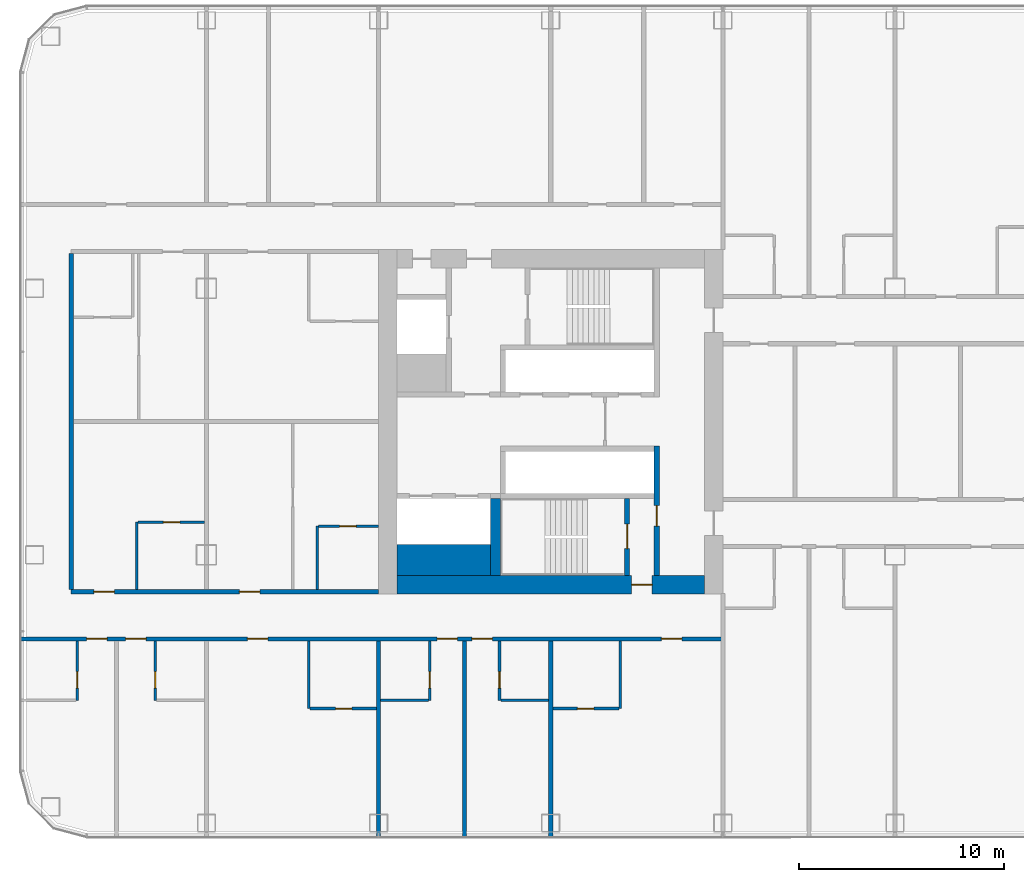
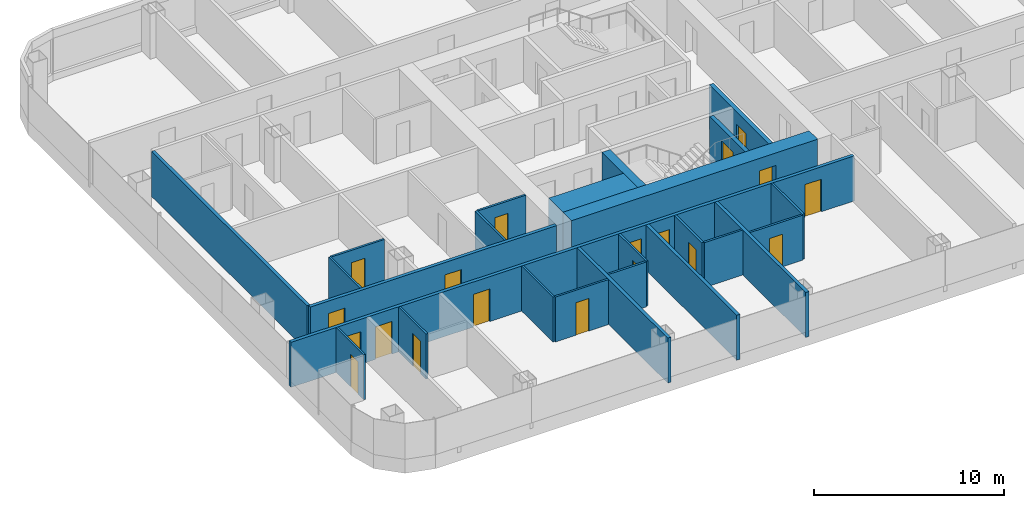
# One storey, part 13 of 29: 25 walls, 19 doors, 19 openings.
"""IFC4 building model written with IfcOpenShell, lengths in metres."""

from ifc_helpers import new_model, si_unit, direction, frame, frame_2d, origin, place, context, subcontext, project, spatial, rectangle, extrude, material, layer, layer_set, type_object, element, fill, save


model = new_model("IFC4")

# Units and contexts
model_context = context("Model", 3, precision=1e-05, world=origin(), true_north=direction((0.0, 1.0)))
body_context = subcontext(model_context, "Body", "Model", "MODEL_VIEW")
ifc_project = project(units=[si_unit("LENGTHUNIT", "METRE"), si_unit("AREAUNIT", "SQUARE_METRE"), si_unit("VOLUMEUNIT", "CUBIC_METRE"), si_unit("PLANEANGLEUNIT", "RADIAN"), si_unit("MASSUNIT", "GRAM", prefix="KILO")], contexts=[model_context])

# Site, building, storey
site_placement = place(None, origin())
site = spatial("IfcSite", under=ifc_project, at=site_placement, CompositionType="ELEMENT")
building_placement = place(site_placement, origin())
building = spatial("IfcBuilding", under=site, at=building_placement, Name="Hakoniwa Tower and Hamabe Station Hall", CompositionType="ELEMENT")
storey_placement = place(building_placement, frame((0.0, 0.0, 61.39990234375)))
storey = spatial("IfcBuildingStorey", under=building, at=storey_placement, Name="L17", CompositionType="ELEMENT", Elevation=61.39990234375)

# Wall, opening, door
ifc_material_1 = material(Name="Gypsum board partition", Category="gypsum")
ifc_layer_1 = layer(ifc_material_1, 0.125)
ifc_layer_set_1 = layer_set([ifc_layer_1], Name="Bathroom Partition 125")
wall_type_1 = type_object("IfcWallType", Name="Bathroom Partition 125", PredefinedType="PARTITIONING", material=ifc_layer_set_1)
wall_1_placement = place(storey_placement, frame((-36.9375, -14.0, 0.0), z_axis=(0.0, 0.0, 1.0), x_axis=(1.0, 0.0, 0.0)))
wall_1 = element("IfcWall", 1, at=wall_1_placement, inside=storey, type_object=wall_type_1, Name="GW-L17-001", PredefinedType="PARTITIONING", context=body_context, shape_type="SweptSolid", body=[
    extrude(rectangle(XDim=3.237548828125, YDim=0.125, at=frame_2d((1.61865234375, 0.0))), origin(), (0.0, 0.0, 1.0), 2.900146484375),
])
opening_1_placement = place(wall_1_placement, frame((1.237548828125, 0.0, 0.0)))
opening_1 = element("IfcOpeningElement", 2, at=opening_1_placement, cuts=wall_1, Name="Opening GD-G1D2-01", PredefinedType="OPENING", context=body_context, shape_type="SweptSolid", body=[
    extrude(rectangle(XDim=0.800048828125, YDim=2.10009765625, at=frame_2d((0.39990234375, 1.050048828125))), frame((0.0, 0.072509765625, 0.0), z_axis=(0.0, -1.0, 0.0), x_axis=(1.0, 0.0, 0.0)), (0.0, 0.0, 1.0), 0.14501953125),
])
ifc_material_2 = material(Name="Timber door leaf", Category="wood")
door_type_1 = type_object("IfcDoorType", Name="Bathroom Door 800", OperationType="SINGLE_SWING_LEFT", PredefinedType="DOOR", material=ifc_material_2)
door_1_placement = place(opening_1_placement, origin())
door_1 = element("IfcDoor", 3, at=door_1_placement, inside=storey, type_object=door_type_1, Name="Door GD-G1D2-01", OperationType="SINGLE_SWING_LEFT", OverallHeight=2.10009765625, OverallWidth=0.800048828125, PredefinedType="DOOR", context=body_context, shape_type="SweptSolid", body=[
    extrude(rectangle(XDim=0.800048828125, YDim=2.10009765625, at=frame_2d((0.39990234375, 1.050048828125))), frame((0.0, 0.02490234375, 0.0), z_axis=(0.0, -1.0, 0.0), x_axis=(1.0, 0.0, 0.0)), (0.0, 0.0, 1.0), 0.050048828125),
])
fill(opening_1, door_1)

wall_2_placement = place(storey_placement, frame((-25.10009765625, -14.0, 0.0), z_axis=(0.0, 0.0, 1.0), x_axis=(1.0, 0.0, 0.0)))
wall_2 = element("IfcWall", 4, at=wall_2_placement, inside=storey, type_object=wall_type_1, Name="GW-L17-002", PredefinedType="PARTITIONING", context=body_context, shape_type="SweptSolid", body=[
    extrude(rectangle(XDim=3.237548828125, YDim=0.125, at=frame_2d((1.61865234375, 0.0))), origin(), (0.0, 0.0, 1.0), 2.900146484375),
])
opening_2_placement = place(wall_2_placement, frame((1.199951171875, 0.0, 0.0)))
opening_2 = element("IfcOpeningElement", 5, at=opening_2_placement, cuts=wall_2, Name="Opening GD-G1D2-02", PredefinedType="OPENING", context=body_context, shape_type="SweptSolid", body=[
    extrude(rectangle(XDim=0.800048828125, YDim=2.10009765625, at=frame_2d((0.39990234375, 1.050048828125))), frame((0.0, 0.072509765625, 0.0), z_axis=(0.0, -1.0, 0.0), x_axis=(1.0, 0.0, 0.0)), (0.0, 0.0, 1.0), 0.14501953125),
])
door_2_placement = place(opening_2_placement, origin())
door_2 = element("IfcDoor", 6, at=door_2_placement, inside=storey, type_object=door_type_1, Name="Door GD-G1D2-02", OperationType="SINGLE_SWING_RIGHT", OverallHeight=2.10009765625, OverallWidth=0.800048828125, PredefinedType="DOOR", context=body_context, shape_type="SweptSolid", body=[
    extrude(rectangle(XDim=0.800048828125, YDim=2.10009765625, at=frame_2d((0.39990234375, 1.050048828125))), frame((0.0, 0.02490234375, 0.0), z_axis=(0.0, -1.0, 0.0), x_axis=(1.0, 0.0, 0.0)), (0.0, 0.0, 1.0), 0.050048828125),
])
fill(opening_2, door_2)

# Walls
for number, where, z_axis, x_axis, name in (
    (7, (-33.5, -13.60009765625, 0.0), (0.0, 0.0, 1.0), (1.0, 0.0, 0.0), "GW-L17-007"),
    (8, (-27.637451171875, -13.60009765625, 0.0), (0.0, 0.0, 1.0), (1.0, 0.0, 0.0), "GW-L17-008"),
):
    element("IfcWall", number, at=place(storey_placement, frame(where, z_axis=z_axis, x_axis=x_axis)), inside=storey, type_object=wall_type_1, Name=name, PredefinedType="PARTITIONING", context=body_context, shape_type="SweptSolid", body=[
        extrude(rectangle(XDim=2.33740234375, YDim=0.125, at=frame_2d((1.168701171875, 0.0))), origin(), (0.0, 0.0, 1.0), 2.900146484375),
    ])

# Wall, opening, door
wall_3_placement = place(storey_placement, frame((-36.53759765625, -5.10009765625, 0.0), z_axis=(0.0, 0.0, 1.0), x_axis=(1.0, 0.0, 0.0)))
wall_3 = element("IfcWall", 9, at=wall_3_placement, inside=storey, type_object=wall_type_1, Name="GW-L17-023", PredefinedType="PARTITIONING", context=body_context, shape_type="SweptSolid", body=[
    extrude(rectangle(XDim=2.9375, YDim=0.125, at=frame_2d((1.46875, 0.0))), origin(), (0.0, 0.0, 1.0), 2.900146484375),
])
opening_3_placement = place(wall_3_placement, frame((1.03759765625, 0.0, 0.0)))
opening_3 = element("IfcOpeningElement", 10, at=opening_3_placement, cuts=wall_3, Name="Opening GD-G1D2-26", PredefinedType="OPENING", context=body_context, shape_type="SweptSolid", body=[
    extrude(rectangle(XDim=0.800048828125, YDim=2.10009765625, at=frame_2d((0.39990234375, 1.050048828125))), frame((0.0, 0.072509765625, 0.0), z_axis=(0.0, -1.0, 0.0), x_axis=(1.0, 0.0, 0.0)), (0.0, 0.0, 1.0), 0.14501953125),
])
door_3_placement = place(opening_3_placement, origin())
door_3 = element("IfcDoor", 11, at=door_3_placement, inside=storey, type_object=door_type_1, Name="Door GD-G1D2-26", OperationType="SINGLE_SWING_LEFT", OverallHeight=2.10009765625, OverallWidth=0.800048828125, PredefinedType="DOOR", context=body_context, shape_type="SweptSolid", body=[
    extrude(rectangle(XDim=0.800048828125, YDim=2.10009765625, at=frame_2d((0.39990234375, 1.050048828125))), frame((0.0, 0.02490234375, 0.0), z_axis=(0.0, -1.0, 0.0), x_axis=(1.0, 0.0, 0.0)), (0.0, 0.0, 1.0), 0.050048828125),
])
fill(opening_3, door_3)

wall_4_placement = place(storey_placement, frame((-45.33740234375, -4.89990234375, 0.0), z_axis=(0.0, 0.0, 1.0), x_axis=(1.0, 0.0, 0.0)))
wall_4 = element("IfcWall", 12, at=wall_4_placement, inside=storey, type_object=wall_type_1, Name="GW-L17-025", PredefinedType="PARTITIONING", context=body_context, shape_type="SweptSolid", body=[
    extrude(rectangle(XDim=3.2373046875, YDim=0.125, at=frame_2d((1.61865234375, 0.0))), origin(), (0.0, 0.0, 1.0), 2.900146484375),
])
opening_4_placement = place(wall_4_placement, frame((1.237548828125, 0.0, 0.0)))
opening_4 = element("IfcOpeningElement", 13, at=opening_4_placement, cuts=wall_4, Name="Opening GD-G1D2-28", PredefinedType="OPENING", context=body_context, shape_type="SweptSolid", body=[
    extrude(rectangle(XDim=0.800048828125, YDim=2.10009765625, at=frame_2d((0.39990234375, 1.050048828125))), frame((0.0, 0.072509765625, 0.0), z_axis=(0.0, -1.0, 0.0), x_axis=(1.0, 0.0, 0.0)), (0.0, 0.0, 1.0), 0.14501953125),
])
door_4_placement = place(opening_4_placement, origin())
door_4 = element("IfcDoor", 14, at=door_4_placement, inside=storey, type_object=door_type_1, Name="Door GD-G1D2-28", OperationType="SINGLE_SWING_LEFT", OverallHeight=2.10009765625, OverallWidth=0.800048828125, PredefinedType="DOOR", context=body_context, shape_type="SweptSolid", body=[
    extrude(rectangle(XDim=0.800048828125, YDim=2.10009765625, at=frame_2d((0.39990234375, 1.050048828125))), frame((0.0, 0.02490234375, 0.0), z_axis=(0.0, -1.0, 0.0), x_axis=(1.0, 0.0, 0.0)), (0.0, 0.0, 1.0), 0.050048828125),
])
fill(opening_4, door_4)

wall_5_placement = place(storey_placement, frame((-48.300048828125, -13.60009765625, 0.0), z_axis=(0.0, 0.0, 1.0), x_axis=(0.0, 1.0, 0.0)))
wall_5 = element("IfcWall", 15, at=wall_5_placement, inside=storey, type_object=wall_type_1, Name="GW-L17-045", PredefinedType="PARTITIONING", context=body_context, shape_type="SweptSolid", body=[
    extrude(rectangle(XDim=2.900146484375, YDim=0.125, at=frame_2d((1.4501953125, 0.0))), origin(), (0.0, 0.0, 1.0), 2.900146484375),
])
opening_5_placement = place(wall_5_placement, frame((0.60009765625, 0.0, 0.0)))
opening_5 = element("IfcOpeningElement", 16, at=opening_5_placement, cuts=wall_5, Name="Opening GD-G1D2-63", PredefinedType="OPENING", context=body_context, shape_type="SweptSolid", body=[
    extrude(rectangle(XDim=0.800048828125, YDim=2.10009765625, at=frame_2d((0.39990234375, 1.050048828125))), frame((0.0, 0.072509765625, 0.0), z_axis=(0.0, -1.0, 0.0), x_axis=(1.0, 0.0, 0.0)), (0.0, 0.0, 1.0), 0.14501953125),
])
door_5_placement = place(opening_5_placement, origin())
door_5 = element("IfcDoor", 17, at=door_5_placement, inside=storey, type_object=door_type_1, Name="Door GD-G1D2-63", OperationType="SINGLE_SWING_RIGHT", OverallHeight=2.10009765625, OverallWidth=0.800048828125, PredefinedType="DOOR", context=body_context, shape_type="SweptSolid", body=[
    extrude(rectangle(XDim=0.800048828125, YDim=2.10009765625, at=frame_2d((0.39990234375, 1.050048828125))), frame((0.0, 0.02490234375, 0.0), z_axis=(0.0, -1.0, 0.0), x_axis=(1.0, 0.0, 0.0)), (0.0, 0.0, 1.0), 0.050048828125),
])
fill(opening_5, door_5)

# Wall
wall_6_placement = place(storey_placement, frame((-45.39990234375, -8.199951171875, 0.0), z_axis=(0.0, 0.0, 1.0), x_axis=(0.0, 1.0, 0.0)))
element("IfcWall", 18, at=wall_6_placement, inside=storey, type_object=wall_type_1, Name="GW-L17-048", PredefinedType="PARTITIONING", context=body_context, shape_type="SweptSolid", body=[
    extrude(rectangle(XDim=3.300048828125, YDim=0.125, at=frame_2d((1.64990234375, 0.0))), origin(), (0.0, 0.0, 1.0), 2.900146484375),
])

# Wall, opening, door
wall_7_placement = place(storey_placement, frame((-44.5, -13.60009765625, 0.0), z_axis=(0.0, 0.0, 1.0), x_axis=(0.0, 1.0, 0.0)))
wall_7 = element("IfcWall", 19, at=wall_7_placement, inside=storey, type_object=wall_type_1, Name="GW-L17-050", PredefinedType="PARTITIONING", context=body_context, shape_type="SweptSolid", body=[
    extrude(rectangle(XDim=2.900146484375, YDim=0.125, at=frame_2d((1.4501953125, 0.0))), origin(), (0.0, 0.0, 1.0), 2.900146484375),
])
opening_6_placement = place(wall_7_placement, frame((0.60009765625, 0.0, 0.0)))
opening_6 = element("IfcOpeningElement", 20, at=opening_6_placement, cuts=wall_7, Name="Opening GD-G1D2-65", PredefinedType="OPENING", context=body_context, shape_type="SweptSolid", body=[
    extrude(rectangle(XDim=0.800048828125, YDim=2.10009765625, at=frame_2d((0.39990234375, 1.050048828125))), frame((0.0, 0.072509765625, 0.0), z_axis=(0.0, -1.0, 0.0), x_axis=(1.0, 0.0, 0.0)), (0.0, 0.0, 1.0), 0.14501953125),
])
door_6_placement = place(opening_6_placement, origin())
door_6 = element("IfcDoor", 21, at=door_6_placement, inside=storey, type_object=door_type_1, Name="Door GD-G1D2-65", OperationType="SINGLE_SWING_LEFT", OverallHeight=2.10009765625, OverallWidth=0.800048828125, PredefinedType="DOOR", context=body_context, shape_type="SweptSolid", body=[
    extrude(rectangle(XDim=0.800048828125, YDim=2.10009765625, at=frame_2d((0.39990234375, 1.050048828125))), frame((0.0, 0.02490234375, 0.0), z_axis=(0.0, -1.0, 0.0), x_axis=(1.0, 0.0, 0.0)), (0.0, 0.0, 1.0), 0.050048828125),
])
fill(opening_6, door_6)

# Walls
wall_8_placement = place(storey_placement, frame((-37.0, -14.0, 0.0), z_axis=(0.0, 0.0, 1.0), x_axis=(0.0, 1.0, 0.0)))
element("IfcWall", 22, at=wall_8_placement, inside=storey, type_object=wall_type_1, Name="GW-L17-056", PredefinedType="PARTITIONING", context=body_context, shape_type="SweptSolid", body=[
    extrude(rectangle(XDim=3.300048828125, YDim=0.125, at=frame_2d((1.64990234375, 0.0))), origin(), (0.0, 0.0, 1.0), 2.900146484375),
])
wall_9_placement = place(storey_placement, frame((-36.60009765625, -8.199951171875, 0.0), z_axis=(0.0, 0.0, 1.0), x_axis=(0.0, 1.0, 0.0)))
element("IfcWall", 23, at=wall_9_placement, inside=storey, type_object=wall_type_1, Name="GW-L17-058", PredefinedType="PARTITIONING", context=body_context, shape_type="SweptSolid", body=[
    extrude(rectangle(XDim=3.099853515625, YDim=0.125, at=frame_2d((1.5498046875, 0.0))), origin(), (0.0, 0.0, 1.0), 2.900146484375),
])

# Wall, opening, door
wall_10_placement = place(storey_placement, frame((-31.10009765625, -13.60009765625, 0.0), z_axis=(0.0, 0.0, 1.0), x_axis=(0.0, 1.0, 0.0)))
wall_10 = element("IfcWall", 24, at=wall_10_placement, inside=storey, type_object=wall_type_1, Name="GW-L17-061", PredefinedType="PARTITIONING", context=body_context, shape_type="SweptSolid", body=[
    extrude(rectangle(XDim=2.900146484375, YDim=0.125, at=frame_2d((1.4501953125, 0.0))), origin(), (0.0, 0.0, 1.0), 2.900146484375),
])
opening_7_placement = place(wall_10_placement, frame((0.60009765625, 0.0, 0.0)))
opening_7 = element("IfcOpeningElement", 25, at=opening_7_placement, cuts=wall_10, Name="Opening GD-G1D2-67", PredefinedType="OPENING", context=body_context, shape_type="SweptSolid", body=[
    extrude(rectangle(XDim=0.800048828125, YDim=2.10009765625, at=frame_2d((0.39990234375, 1.050048828125))), frame((0.0, 0.072509765625, 0.0), z_axis=(0.0, -1.0, 0.0), x_axis=(1.0, 0.0, 0.0)), (0.0, 0.0, 1.0), 0.14501953125),
])
door_7_placement = place(opening_7_placement, origin())
door_7 = element("IfcDoor", 26, at=door_7_placement, inside=storey, type_object=door_type_1, Name="Door GD-G1D2-67", OperationType="SINGLE_SWING_RIGHT", OverallHeight=2.10009765625, OverallWidth=0.800048828125, PredefinedType="DOOR", context=body_context, shape_type="SweptSolid", body=[
    extrude(rectangle(XDim=0.800048828125, YDim=2.10009765625, at=frame_2d((0.39990234375, 1.050048828125))), frame((0.0, 0.02490234375, 0.0), z_axis=(0.0, -1.0, 0.0), x_axis=(1.0, 0.0, 0.0)), (0.0, 0.0, 1.0), 0.050048828125),
])
fill(opening_7, door_7)

wall_11_placement = place(storey_placement, frame((-27.699951171875, -13.60009765625, 0.0), z_axis=(0.0, 0.0, 1.0), x_axis=(0.0, 1.0, 0.0)))
wall_11 = element("IfcWall", 27, at=wall_11_placement, inside=storey, type_object=wall_type_1, Name="GW-L17-063", PredefinedType="PARTITIONING", context=body_context, shape_type="SweptSolid", body=[
    extrude(rectangle(XDim=2.900146484375, YDim=0.125, at=frame_2d((1.4501953125, 0.0))), origin(), (0.0, 0.0, 1.0), 2.900146484375),
])
opening_8_placement = place(wall_11_placement, frame((0.60009765625, 0.0, 0.0)))
opening_8 = element("IfcOpeningElement", 28, at=opening_8_placement, cuts=wall_11, Name="Opening GD-G1D2-68", PredefinedType="OPENING", context=body_context, shape_type="SweptSolid", body=[
    extrude(rectangle(XDim=0.800048828125, YDim=2.10009765625, at=frame_2d((0.39990234375, 1.050048828125))), frame((0.0, 0.072509765625, 0.0), z_axis=(0.0, -1.0, 0.0), x_axis=(1.0, 0.0, 0.0)), (0.0, 0.0, 1.0), 0.14501953125),
])
door_8_placement = place(opening_8_placement, origin())
door_8 = element("IfcDoor", 29, at=door_8_placement, inside=storey, type_object=door_type_1, Name="Door GD-G1D2-68", OperationType="SINGLE_SWING_LEFT", OverallHeight=2.10009765625, OverallWidth=0.800048828125, PredefinedType="DOOR", context=body_context, shape_type="SweptSolid", body=[
    extrude(rectangle(XDim=0.800048828125, YDim=2.10009765625, at=frame_2d((0.39990234375, 1.050048828125))), frame((0.0, 0.02490234375, 0.0), z_axis=(0.0, -1.0, 0.0), x_axis=(1.0, 0.0, 0.0)), (0.0, 0.0, 1.0), 0.050048828125),
])
fill(opening_8, door_8)

# Wall
wall_12_placement = place(storey_placement, frame((-21.800048828125, -14.0, 0.0), z_axis=(0.0, 0.0, 1.0), x_axis=(0.0, 1.0, 0.0)))
element("IfcWall", 30, at=wall_12_placement, inside=storey, type_object=wall_type_1, Name="GW-L17-066", PredefinedType="PARTITIONING", context=body_context, shape_type="SweptSolid", body=[
    extrude(rectangle(XDim=3.300048828125, YDim=0.125, at=frame_2d((1.64990234375, 0.0))), origin(), (0.0, 0.0, 1.0), 2.900146484375),
])

# Wall, opening, door
ifc_material_3 = material(Name="Concrete C80", Category="concrete")
ifc_layer_2 = layer(ifc_material_3, 0.89990234375)
ifc_layer_set_2 = layer_set([ifc_layer_2], Name="CORE WALL 900 C80")
wall_type_2 = type_object("IfcWallType", Name="CORE WALL 900 C80", PredefinedType="SHEAR", material=ifc_layer_set_2)
wall_13_placement = place(storey_placement, frame((-32.699951171875, -7.949951171875, 0.0), z_axis=(0.0, 0.0, 1.0), x_axis=(1.0, 0.0, 0.0)))
wall_13 = element("IfcWall", 31, at=wall_13_placement, inside=storey, type_object=wall_type_2, Name="Core wall SOUTH west", PredefinedType="SHEAR", context=body_context, shape_type="SweptSolid", body=[
    extrude(rectangle(XDim=15.0, YDim=0.89990234375, at=frame_2d((7.5, 0.0))), origin(), (0.0, 0.0, 1.0), 2.900146484375),
])
opening_9_placement = place(wall_13_placement, frame((11.449951171875, 0.0, 0.0)))
opening_9 = element("IfcOpeningElement", 32, at=opening_9_placement, cuts=wall_13, Name="Opening CD-W-FS3-10", PredefinedType="OPENING", context=body_context, shape_type="SweptSolid", body=[
    extrude(rectangle(XDim=1.0, YDim=2.10009765625, at=frame_2d((0.5, 1.050048828125))), frame((0.0, 0.4599609375, 0.0), z_axis=(0.0, -1.0, 0.0), x_axis=(1.0, 0.0, 0.0)), (0.0, 0.0, 1.0), 0.919921875),
])
ifc_material_4 = material(Name="Steel fire door", Category="steel")
door_type_2 = type_object("IfcDoorType", Name="CORE DOOR 1000 FD60", OperationType="NOTDEFINED", PredefinedType="DOOR", material=ifc_material_4)
door_9_placement = place(opening_9_placement, origin())
door_9 = element("IfcDoor", 33, at=door_9_placement, inside=storey, type_object=door_type_2, Name="Stair vestibule door", OperationType="SINGLE_SWING_LEFT", OverallHeight=2.10009765625, OverallWidth=1.0, PredefinedType="DOOR", context=body_context, shape_type="SweptSolid", body=[
    extrude(rectangle(XDim=1.0, YDim=2.10009765625, at=frame_2d((0.5, 1.050048828125))), frame((0.0, 0.02490234375, 0.0), z_axis=(0.0, -1.0, 0.0), x_axis=(1.0, 0.0, 0.0)), (0.0, 0.0, 1.0), 0.050048828125),
])
fill(opening_9, door_9)

# Wall
ifc_material_5 = material(Name="Concrete C80", Category="concrete")
ifc_layer_3 = layer(ifc_material_5, 1.5)
ifc_layer_set_3 = layer_set([ifc_layer_3], Name="CORE WEB WALL 1500 C80")
wall_type_3 = type_object("IfcWallType", Name="CORE WEB WALL 1500 C80", PredefinedType="SHEAR", material=ifc_layer_set_3)
wall_14_placement = place(storey_placement, frame((-32.699951171875, -6.75, 0.0), z_axis=(0.0, 0.0, 1.0), x_axis=(1.0, 0.0, 0.0)))
element("IfcWall", 34, at=wall_14_placement, inside=storey, type_object=wall_type_3, Name="Core wall SER west", PredefinedType="SHEAR", context=body_context, shape_type="SweptSolid", body=[
    extrude(rectangle(XDim=4.550048828125, YDim=1.5, at=frame_2d((2.27490234375, 0.0))), origin(), (0.0, 0.0, 1.0), 2.900146484375),
])

# Wall, opening, door
ifc_material_6 = material(Name="Concrete C80", Category="concrete")
ifc_layer_4 = layer(ifc_material_6, 0.25)
ifc_layer_set_4 = layer_set([ifc_layer_4], Name="CORE WEB WALL 250 C80")
wall_type_4 = type_object("IfcWallType", Name="CORE WEB WALL 250 C80", PredefinedType="SHEAR", material=ifc_layer_set_4)
wall_15_placement = place(storey_placement, frame((-20.02490234375, -7.5, 0.0), z_axis=(0.0, 0.0, 1.0), x_axis=(0.0, 1.0, 0.0)))
wall_15 = element("IfcWall", 35, at=wall_15_placement, inside=storey, type_object=wall_type_4, Name="Core wall W1S west", PredefinedType="SHEAR", context=body_context, shape_type="SweptSolid", body=[
    extrude(rectangle(XDim=6.300048828125, YDim=0.25, at=frame_2d((3.14990234375, 0.0))), origin(), (0.0, 0.0, 1.0), 2.900146484375),
])
opening_10_placement = place(wall_15_placement, frame((2.39990234375, 0.0, 0.0)))
opening_10 = element("IfcOpeningElement", 36, at=opening_10_placement, cuts=wall_15, Name="Opening CD-W-VS-10", PredefinedType="OPENING", context=body_context, shape_type="SweptSolid", body=[
    extrude(rectangle(XDim=1.0, YDim=2.10009765625, at=frame_2d((0.5, 1.050048828125))), frame((0.0, 0.135009765625, 0.0), z_axis=(0.0, -1.0, 0.0), x_axis=(1.0, 0.0, 0.0)), (0.0, 0.0, 1.0), 0.27001953125),
])
door_10_placement = place(opening_10_placement, origin())
door_10 = element("IfcDoor", 37, at=door_10_placement, inside=storey, type_object=door_type_2, Name="Stair vestibule door", OperationType="SINGLE_SWING_LEFT", OverallHeight=2.10009765625, OverallWidth=1.0, PredefinedType="DOOR", context=body_context, shape_type="SweptSolid", body=[
    extrude(rectangle(XDim=1.0, YDim=2.10009765625, at=frame_2d((0.5, 1.050048828125))), frame((0.0, 0.02490234375, 0.0), z_axis=(0.0, -1.0, 0.0), x_axis=(1.0, 0.0, 0.0)), (0.0, 0.0, 1.0), 0.050048828125),
])
fill(opening_10, door_10)

wall_16_placement = place(storey_placement, frame((-21.47509765625, -7.5, 0.0), z_axis=(0.0, 0.0, 1.0), x_axis=(0.0, 1.0, 0.0)))
wall_16 = element("IfcWall", 38, at=wall_16_placement, inside=storey, type_object=wall_type_4, Name="Core wall VE west", PredefinedType="SHEAR", context=body_context, shape_type="SweptSolid", body=[
    extrude(rectangle(XDim=3.75, YDim=0.25, at=frame_2d((1.875, 0.0))), origin(), (0.0, 0.0, 1.0), 2.900146484375),
])
opening_11_placement = place(wall_16_placement, frame((1.300048828125, 0.0, 0.0)))
opening_11 = element("IfcOpeningElement", 39, at=opening_11_placement, cuts=wall_16, Name="Opening CD-W-SS-12", PredefinedType="OPENING", context=body_context, shape_type="SweptSolid", body=[
    extrude(rectangle(XDim=1.199951171875, YDim=2.10009765625, at=frame_2d((0.60009765625, 1.050048828125))), frame((0.0, 0.135009765625, 0.0), z_axis=(0.0, -1.0, 0.0), x_axis=(1.0, 0.0, 0.0)), (0.0, 0.0, 1.0), 0.27001953125),
])
ifc_material_7 = material(Name="Steel fire door", Category="steel")
door_type_3 = type_object("IfcDoorType", Name="CORE DOOR 1200 FD60", OperationType="DOUBLE_DOOR_SINGLE_SWING", PredefinedType="DOOR", material=ifc_material_7)
door_11_placement = place(opening_11_placement, origin())
door_11 = element("IfcDoor", 40, at=door_11_placement, inside=storey, type_object=door_type_3, Name="Escape stair door", OperationType="DOUBLE_DOOR_SINGLE_SWING", OverallHeight=2.10009765625, OverallWidth=1.199951171875, PredefinedType="DOOR", context=body_context, shape_type="SweptSolid", body=[
    extrude(rectangle(XDim=1.199951171875, YDim=2.10009765625, at=frame_2d((0.60009765625, 1.050048828125))), frame((0.0, 0.02490234375, 0.0), z_axis=(0.0, -1.0, 0.0), x_axis=(1.0, 0.0, 0.0)), (0.0, 0.0, 1.0), 0.050048828125),
])
fill(opening_11, door_11)

# Wall
ifc_material_8 = material(Name="Concrete C80", Category="concrete")
ifc_layer_5 = layer(ifc_material_8, 0.5)
ifc_layer_set_5 = layer_set([ifc_layer_5], Name="CORE WEB WALL 500 C80")
wall_type_5 = type_object("IfcWallType", Name="CORE WEB WALL 500 C80", PredefinedType="SHEAR", material=ifc_layer_set_5)
wall_17_placement = place(storey_placement, frame((-27.89990234375, -7.5, 0.0), z_axis=(0.0, 0.0, 1.0), x_axis=(0.0, 1.0, 0.0)))
element("IfcWall", 41, at=wall_17_placement, inside=storey, type_object=wall_type_5, Name="Core wall SSE west", PredefinedType="SHEAR", context=body_context, shape_type="SweptSolid", body=[
    extrude(rectangle(XDim=3.75, YDim=0.5, at=frame_2d((1.875, 0.0))), origin(), (0.0, 0.0, 1.0), 2.900146484375),
])

# Wall, openings, doors
ifc_material_9 = material(Name="Fire-rated gypsum board partition", Category="gypsum")
ifc_layer_6 = layer(ifc_material_9, 0.199951171875)
ifc_layer_set_6 = layer_set([ifc_layer_6], Name="Corridor Wall 200")
wall_type_6 = type_object("IfcWallType", Name="Corridor Wall 200", PredefinedType="PARTITIONING", material=ifc_layer_set_6)
wall_18_placement = place(storey_placement, frame((-51.10009765625, -10.60009765625, 0.0), z_axis=(0.0, 0.0, 1.0), x_axis=(1.0, 0.0, 0.0)))
wall_18 = element("IfcWall", 42, at=wall_18_placement, inside=storey, type_object=wall_type_6, Name="GW-L17-013", PredefinedType="PARTITIONING", context=body_context, shape_type="SweptSolid", body=[
    extrude(rectangle(XDim=34.300048828125, YDim=0.199951171875, at=frame_2d((17.14990234375, 0.0))), origin(), (0.0, 0.0, 1.0), 2.900146484375),
])
opening_12_placement = place(wall_18_placement, frame((3.25, 0.0, 0.0)))
opening_12 = element("IfcOpeningElement", 43, at=opening_12_placement, cuts=wall_18, Name="Opening GD-G1D2-03", PredefinedType="OPENING", context=body_context, shape_type="SweptSolid", body=[
    extrude(rectangle(XDim=1.0, YDim=2.10009765625, at=frame_2d((0.5, 1.050048828125))), frame((0.0, 0.10986328125, 0.0), z_axis=(0.0, -1.0, 0.0), x_axis=(1.0, 0.0, 0.0)), (0.0, 0.0, 1.0), 0.219970703125),
])
opening_13_placement = place(wall_18_placement, frame((5.14990234375, 0.0, 0.0)))
opening_13 = element("IfcOpeningElement", 44, at=opening_13_placement, cuts=wall_18, Name="Opening GD-G1D2-04", PredefinedType="OPENING", context=body_context, shape_type="SweptSolid", body=[
    extrude(rectangle(XDim=1.0, YDim=2.10009765625, at=frame_2d((0.5, 1.050048828125))), frame((0.0, 0.10986328125, 0.0), z_axis=(0.0, -1.0, 0.0), x_axis=(1.0, 0.0, 0.0)), (0.0, 0.0, 1.0), 0.219970703125),
])
opening_14_placement = place(wall_18_placement, frame((11.10009765625, 0.0, 0.0)))
opening_14 = element("IfcOpeningElement", 45, at=opening_14_placement, cuts=wall_18, Name="Opening GD-G1D2-05", PredefinedType="OPENING", context=body_context, shape_type="SweptSolid", body=[
    extrude(rectangle(XDim=1.0, YDim=2.10009765625, at=frame_2d((0.5, 1.050048828125))), frame((0.0, 0.10986328125, 0.0), z_axis=(0.0, -1.0, 0.0), x_axis=(1.0, 0.0, 0.0)), (0.0, 0.0, 1.0), 0.219970703125),
])
opening_15_placement = place(wall_18_placement, frame((20.35009765625, 0.0, 0.0)))
opening_15 = element("IfcOpeningElement", 46, at=opening_15_placement, cuts=wall_18, Name="Opening GD-G1D2-06", PredefinedType="OPENING", context=body_context, shape_type="SweptSolid", body=[
    extrude(rectangle(XDim=1.0, YDim=2.10009765625, at=frame_2d((0.5, 1.050048828125))), frame((0.0, 0.10986328125, 0.0), z_axis=(0.0, -1.0, 0.0), x_axis=(1.0, 0.0, 0.0)), (0.0, 0.0, 1.0), 0.219970703125),
])
opening_16_placement = place(wall_18_placement, frame((22.050048828125, 0.0, 0.0)))
opening_16 = element("IfcOpeningElement", 47, at=opening_16_placement, cuts=wall_18, Name="Opening GD-G1D2-07", PredefinedType="OPENING", context=body_context, shape_type="SweptSolid", body=[
    extrude(rectangle(XDim=1.0, YDim=2.10009765625, at=frame_2d((0.5, 1.050048828125))), frame((0.0, 0.10986328125, 0.0), z_axis=(0.0, -1.0, 0.0), x_axis=(1.0, 0.0, 0.0)), (0.0, 0.0, 1.0), 0.219970703125),
])
opening_17_placement = place(wall_18_placement, frame((31.300048828125, 0.0, 0.0)))
opening_17 = element("IfcOpeningElement", 48, at=opening_17_placement, cuts=wall_18, Name="Opening GD-G1D2-08", PredefinedType="OPENING", context=body_context, shape_type="SweptSolid", body=[
    extrude(rectangle(XDim=1.0, YDim=2.10009765625, at=frame_2d((0.5, 1.050048828125))), frame((0.0, 0.10986328125, 0.0), z_axis=(0.0, -1.0, 0.0), x_axis=(1.0, 0.0, 0.0)), (0.0, 0.0, 1.0), 0.219970703125),
])
ifc_material_10 = material(Name="Timber door leaf", Category="wood")
door_type_4 = type_object("IfcDoorType", Name="Guest Entrance Door 1000", OperationType="SINGLE_SWING_LEFT", PredefinedType="DOOR", material=ifc_material_10)
door_12_placement = place(opening_12_placement, origin())
door_12 = element("IfcDoor", 49, at=door_12_placement, inside=storey, type_object=door_type_4, Name="Door GD-G1D2-03", OperationType="SINGLE_SWING_RIGHT", OverallHeight=2.10009765625, OverallWidth=1.0, PredefinedType="DOOR", context=body_context, shape_type="SweptSolid", body=[
    extrude(rectangle(XDim=1.0, YDim=2.10009765625, at=frame_2d((0.5, 1.050048828125))), frame((0.0, 0.02490234375, 0.0), z_axis=(0.0, -1.0, 0.0), x_axis=(1.0, 0.0, 0.0)), (0.0, 0.0, 1.0), 0.050048828125),
])
fill(opening_12, door_12)
door_13_placement = place(opening_13_placement, origin())
door_13 = element("IfcDoor", 50, at=door_13_placement, inside=storey, type_object=door_type_4, Name="Door GD-G1D2-04", OperationType="SINGLE_SWING_LEFT", OverallHeight=2.10009765625, OverallWidth=1.0, PredefinedType="DOOR", context=body_context, shape_type="SweptSolid", body=[
    extrude(rectangle(XDim=1.0, YDim=2.10009765625, at=frame_2d((0.5, 1.050048828125))), frame((0.0, 0.02490234375, 0.0), z_axis=(0.0, -1.0, 0.0), x_axis=(1.0, 0.0, 0.0)), (0.0, 0.0, 1.0), 0.050048828125),
])
fill(opening_13, door_13)
door_14_placement = place(opening_14_placement, origin())
door_14 = element("IfcDoor", 51, at=door_14_placement, inside=storey, type_object=door_type_4, Name="Door GD-G1D2-05", OperationType="SINGLE_SWING_RIGHT", OverallHeight=2.10009765625, OverallWidth=1.0, PredefinedType="DOOR", context=body_context, shape_type="SweptSolid", body=[
    extrude(rectangle(XDim=1.0, YDim=2.10009765625, at=frame_2d((0.5, 1.050048828125))), frame((0.0, 0.02490234375, 0.0), z_axis=(0.0, -1.0, 0.0), x_axis=(1.0, 0.0, 0.0)), (0.0, 0.0, 1.0), 0.050048828125),
])
fill(opening_14, door_14)
door_15_placement = place(opening_15_placement, origin())
door_15 = element("IfcDoor", 52, at=door_15_placement, inside=storey, type_object=door_type_4, Name="Door GD-G1D2-06", OperationType="SINGLE_SWING_LEFT", OverallHeight=2.10009765625, OverallWidth=1.0, PredefinedType="DOOR", context=body_context, shape_type="SweptSolid", body=[
    extrude(rectangle(XDim=1.0, YDim=2.10009765625, at=frame_2d((0.5, 1.050048828125))), frame((0.0, 0.02490234375, 0.0), z_axis=(0.0, -1.0, 0.0), x_axis=(1.0, 0.0, 0.0)), (0.0, 0.0, 1.0), 0.050048828125),
])
fill(opening_15, door_15)
door_16_placement = place(opening_16_placement, origin())
door_16 = element("IfcDoor", 53, at=door_16_placement, inside=storey, type_object=door_type_4, Name="Door GD-G1D2-07", OperationType="SINGLE_SWING_RIGHT", OverallHeight=2.10009765625, OverallWidth=1.0, PredefinedType="DOOR", context=body_context, shape_type="SweptSolid", body=[
    extrude(rectangle(XDim=1.0, YDim=2.10009765625, at=frame_2d((0.5, 1.050048828125))), frame((0.0, 0.02490234375, 0.0), z_axis=(0.0, -1.0, 0.0), x_axis=(1.0, 0.0, 0.0)), (0.0, 0.0, 1.0), 0.050048828125),
])
fill(opening_16, door_16)
door_17_placement = place(opening_17_placement, origin())
door_17 = element("IfcDoor", 54, at=door_17_placement, inside=storey, type_object=door_type_4, Name="Door GD-G1D2-08", OperationType="SINGLE_SWING_LEFT", OverallHeight=2.10009765625, OverallWidth=1.0, PredefinedType="DOOR", context=body_context, shape_type="SweptSolid", body=[
    extrude(rectangle(XDim=1.0, YDim=2.10009765625, at=frame_2d((0.5, 1.050048828125))), frame((0.0, 0.02490234375, 0.0), z_axis=(0.0, -1.0, 0.0), x_axis=(1.0, 0.0, 0.0)), (0.0, 0.0, 1.0), 0.050048828125),
])
fill(opening_17, door_17)

wall_19_placement = place(storey_placement, frame((-48.60009765625, -8.300048828125, 0.0), z_axis=(0.0, 0.0, 1.0), x_axis=(1.0, 0.0, 0.0)))
wall_19 = element("IfcWall", 55, at=wall_19_placement, inside=storey, type_object=wall_type_6, Name="GW-L17-020", PredefinedType="PARTITIONING", context=body_context, shape_type="SweptSolid", body=[
    extrude(rectangle(XDim=15.0, YDim=0.199951171875, at=frame_2d((7.5, 0.0))), origin(), (0.0, 0.0, 1.0), 2.900146484375),
])
opening_18_placement = place(wall_19_placement, frame((1.10009765625, 0.0, 0.0)))
opening_18 = element("IfcOpeningElement", 56, at=opening_18_placement, cuts=wall_19, Name="Opening GD-G1D2-16", PredefinedType="OPENING", context=body_context, shape_type="SweptSolid", body=[
    extrude(rectangle(XDim=1.0, YDim=2.10009765625, at=frame_2d((0.5, 1.050048828125))), frame((0.0, 0.10986328125, 0.0), z_axis=(0.0, -1.0, 0.0), x_axis=(1.0, 0.0, 0.0)), (0.0, 0.0, 1.0), 0.219970703125),
])
opening_19_placement = place(wall_19_placement, frame((8.199951171875, 0.0, 0.0)))
opening_19 = element("IfcOpeningElement", 57, at=opening_19_placement, cuts=wall_19, Name="Opening GD-G1D2-17", PredefinedType="OPENING", context=body_context, shape_type="SweptSolid", body=[
    extrude(rectangle(XDim=1.0, YDim=2.10009765625, at=frame_2d((0.5, 1.050048828125))), frame((0.0, 0.10986328125, 0.0), z_axis=(0.0, -1.0, 0.0), x_axis=(1.0, 0.0, 0.0)), (0.0, 0.0, 1.0), 0.219970703125),
])
door_18_placement = place(opening_18_placement, origin())
door_18 = element("IfcDoor", 58, at=door_18_placement, inside=storey, type_object=door_type_4, Name="Door GD-G1D2-16", OperationType="SINGLE_SWING_LEFT", OverallHeight=2.10009765625, OverallWidth=1.0, PredefinedType="DOOR", context=body_context, shape_type="SweptSolid", body=[
    extrude(rectangle(XDim=1.0, YDim=2.10009765625, at=frame_2d((0.5, 1.050048828125))), frame((0.0, 0.02490234375, 0.0), z_axis=(0.0, -1.0, 0.0), x_axis=(1.0, 0.0, 0.0)), (0.0, 0.0, 1.0), 0.050048828125),
])
fill(opening_18, door_18)
door_19_placement = place(opening_19_placement, origin())
door_19 = element("IfcDoor", 59, at=door_19_placement, inside=storey, type_object=door_type_4, Name="Door GD-G1D2-17", OperationType="SINGLE_SWING_LEFT", OverallHeight=2.10009765625, OverallWidth=1.0, PredefinedType="DOOR", context=body_context, shape_type="SweptSolid", body=[
    extrude(rectangle(XDim=1.0, YDim=2.10009765625, at=frame_2d((0.5, 1.050048828125))), frame((0.0, 0.02490234375, 0.0), z_axis=(0.0, -1.0, 0.0), x_axis=(1.0, 0.0, 0.0)), (0.0, 0.0, 1.0), 0.050048828125),
])
fill(opening_19, door_19)

# Walls
ifc_material_11 = material(Name="Fire-rated gypsum board partition", Category="gypsum")
ifc_layer_7 = layer(ifc_material_11, 0.199951171875)
ifc_layer_set_7 = layer_set([ifc_layer_7], Name="Party Wall 200")
wall_type_7 = type_object("IfcWallType", Name="Party Wall 200", PredefinedType="PARTITIONING", material=ifc_layer_set_7)
wall_20_placement = place(storey_placement, frame((-48.60009765625, -8.199951171875, 0.0), z_axis=(0.0, 0.0, 1.0), x_axis=(0.0, 1.0, 0.0)))
element("IfcWall", 60, at=wall_20_placement, inside=storey, type_object=wall_type_7, Name="GW-L17-044", PredefinedType="PARTITIONING", context=body_context, shape_type="SweptSolid", body=[
    extrude(rectangle(XDim=16.39990234375, YDim=0.199951171875, at=frame_2d((8.199951171875, 0.0))), origin(), (0.0, 0.0, 1.0), 2.900146484375),
])
for number, where, z_axis, x_axis, name in (
    (61, (-33.60009765625, -20.300048828125, 0.0), (0.0, 0.0, 1.0), (0.0, 1.0, 0.0), "GW-L17-059"),
    (62, (-29.39990234375, -20.300048828125, 0.0), (0.0, 0.0, 1.0), (0.0, 1.0, 0.0), "GW-L17-062"),
    (63, (-25.199951171875, -20.300048828125, 0.0), (0.0, 0.0, 1.0), (0.0, 1.0, 0.0), "GW-L17-064"),
):
    element("IfcWall", number, at=place(storey_placement, frame(where, z_axis=z_axis, x_axis=x_axis)), inside=storey, type_object=wall_type_7, Name=name, PredefinedType="PARTITIONING", context=body_context, shape_type="SweptSolid", body=[
        extrude(rectangle(XDim=9.60009765625, YDim=0.199951171875, at=frame_2d((4.800048828125, 0.0))), origin(), (0.0, 0.0, 1.0), 2.900146484375),
    ])

save(model, "model.ifc")
